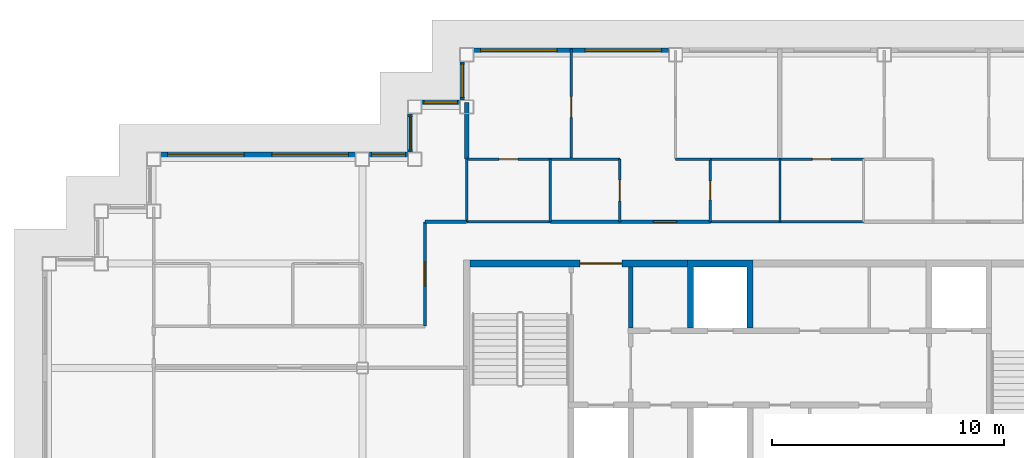
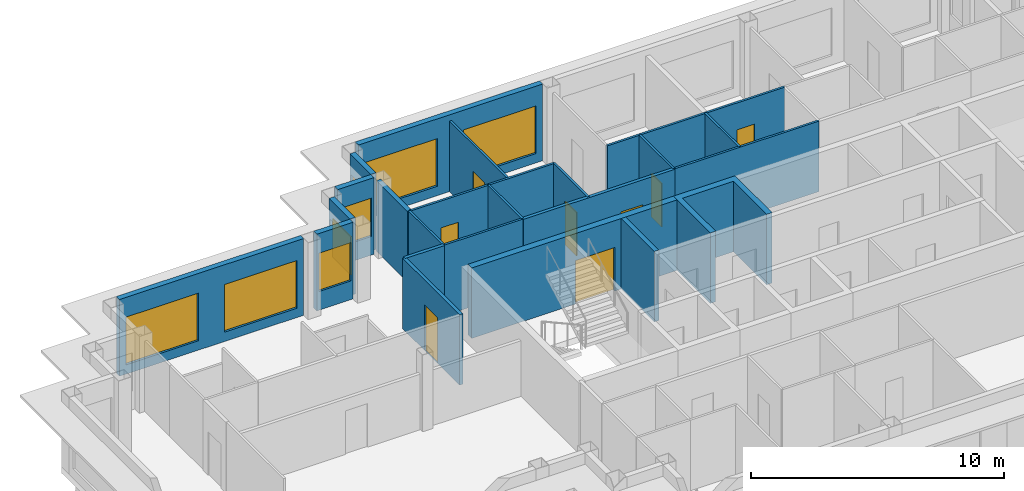
# One storey, part 4 of 12: 25 walls, 8 doors, 8 windows, 16 openings.
"""IFC4 building model written with IfcOpenShell, lengths in metres."""

from ifc_helpers import new_model, si_unit, direction, frame, frame_2d, origin, place, context, subcontext, project, spatial, polyline, rectangle, outline, extrude, material, layer, layer_set, type_object, element, fill, save


model = new_model("IFC4")

# Units and contexts
model_context = context("Model", 3, precision=1e-05, world=origin(), true_north=direction((0.0, 1.0)))
body_context = subcontext(model_context, "Body", "Model", "MODEL_VIEW")
ifc_project = project(units=[si_unit("LENGTHUNIT", "METRE"), si_unit("AREAUNIT", "SQUARE_METRE"), si_unit("VOLUMEUNIT", "CUBIC_METRE"), si_unit("PLANEANGLEUNIT", "RADIAN"), si_unit("MASSUNIT", "GRAM", prefix="KILO")], contexts=[model_context])

# Site, building, storey
site_placement = place(None, origin())
site = spatial("IfcSite", under=ifc_project, at=site_placement, CompositionType="ELEMENT")
building_placement = place(site_placement, origin())
building = spatial("IfcBuilding", under=site, at=building_placement, Name="Caravel Reach Hotel and Residences", CompositionType="ELEMENT")
storey_placement = place(building_placement, frame((0.0, 0.0, 241.60009765625)))
storey = spatial("IfcBuildingStorey", under=building, at=storey_placement, Name="L61", CompositionType="ELEMENT", Elevation=241.60009765625)

# Walls
ifc_material_1 = material(Name="Gypsum board on steel stud", Category="steel")
ifc_layer_1 = layer(ifc_material_1, 0.10009765625)
ifc_layer_set_1 = layer_set([ifc_layer_1], Name="Bathroom pod wall 100 mm")
wall_type_1 = type_object("IfcWallType", Name="Bathroom pod wall 100 mm", PredefinedType="PARTITIONING", material=ifc_layer_set_1)
wall_1_placement = place(storey_placement, frame((28.5, 33.300048828125, 0.0), z_axis=(0.0, 0.0, 1.0), x_axis=(1.0, 0.0, 0.0)))
element("IfcWall", 1, at=wall_1_placement, inside=storey, type_object=wall_type_1, Name="L61 wall w057", PredefinedType="PARTITIONING", context=body_context, shape_type="SweptSolid", body=[
    extrude(rectangle(XDim=6.60009765625, YDim=0.10009765625, at=frame_2d((3.300048828125, 0.0))), origin(), (0.0, 0.0, 1.0), 3.39990234375),
])
wall_2_placement = place(storey_placement, frame((18.0, 33.300048828125, 0.0), z_axis=(0.0, 0.0, 1.0), x_axis=(1.0, 0.0, 0.0)))
element("IfcWall", 2, at=wall_2_placement, inside=storey, type_object=wall_type_1, Name="L61 wall w058", PredefinedType="PARTITIONING", context=body_context, shape_type="SweptSolid", body=[
    extrude(rectangle(XDim=3.60009765625, YDim=0.10009765625, at=frame_2d((1.800048828125, 0.0))), origin(), (0.0, 0.0, 1.0), 3.39990234375),
])

# Wall, opening, door
wall_3_placement = place(storey_placement, frame((28.5, 36.0, 0.0), z_axis=(0.0, 0.0, 1.0), x_axis=(1.0, 0.0, 0.0)))
wall_3 = element("IfcWall", 3, at=wall_3_placement, inside=storey, type_object=wall_type_1, Name="L61 wall w062", PredefinedType="PARTITIONING", context=body_context, shape_type="SweptSolid", body=[
    extrude(rectangle(XDim=6.60009765625, YDim=0.10009765625, at=frame_2d((3.300048828125, 0.0))), origin(), (0.0, 0.0, 1.0), 3.39990234375),
])
opening_1_placement = place(wall_3_placement, frame((4.39990234375, 0.0, 0.0)))
opening_1 = element("IfcOpeningElement", 4, at=opening_1_placement, cuts=wall_3, Name="Opening D61-024", PredefinedType="OPENING", context=body_context, shape_type="SweptSolid", body=[
    extrude(rectangle(XDim=0.800048828125, YDim=2.10009765625, at=frame_2d((0.39990234375, 1.050048828125))), frame((0.0, 0.06005859375, 0.0), z_axis=(0.0, -1.0, 0.0), x_axis=(1.0, 0.0, 0.0)), (0.0, 0.0, 1.0), 0.1201171875),
])
ifc_material_2 = material(Name="Timber and steel door leaf", Category="steel")
door_type_1 = type_object("IfcDoorType", Name="Bathroom door 800 x 2100", OperationType="SINGLE_SWING_LEFT", PredefinedType="DOOR", material=ifc_material_2)
door_1_placement = place(opening_1_placement, origin())
door_1 = element("IfcDoor", 5, at=door_1_placement, inside=storey, type_object=door_type_1, Name="door D61-024", OperationType="SINGLE_SWING_RIGHT", OverallHeight=2.10009765625, OverallWidth=0.800048828125, PredefinedType="DOOR", context=body_context, shape_type="SweptSolid", body=[
    extrude(rectangle(XDim=0.800048828125, YDim=2.10009765625, at=frame_2d((0.39990234375, 1.050048828125))), frame((0.0, 0.02490234375, 0.0), z_axis=(0.0, -1.0, 0.0), x_axis=(1.0, 0.0, 0.0)), (0.0, 0.0, 1.0), 0.050048828125),
])
fill(opening_1, door_1)

wall_4_placement = place(storey_placement, frame((18.0, 36.0, 0.0), z_axis=(0.0, 0.0, 1.0), x_axis=(1.0, 0.0, 0.0)))
wall_4 = element("IfcWall", 6, at=wall_4_placement, inside=storey, type_object=wall_type_1, Name="L61 wall w063", PredefinedType="PARTITIONING", context=body_context, shape_type="SweptSolid", body=[
    extrude(rectangle(XDim=3.60009765625, YDim=0.10009765625, at=frame_2d((1.800048828125, 0.0))), origin(), (0.0, 0.0, 1.0), 3.39990234375),
])
opening_2_placement = place(wall_4_placement, frame((1.39990234375, 0.0, 0.0)))
opening_2 = element("IfcOpeningElement", 7, at=opening_2_placement, cuts=wall_4, Name="Opening D61-018", PredefinedType="OPENING", context=body_context, shape_type="SweptSolid", body=[
    extrude(rectangle(XDim=0.800048828125, YDim=2.10009765625, at=frame_2d((0.39990234375, 1.050048828125))), frame((0.0, 0.06005859375, 0.0), z_axis=(0.0, -1.0, 0.0), x_axis=(1.0, 0.0, 0.0)), (0.0, 0.0, 1.0), 0.1201171875),
])
door_2_placement = place(opening_2_placement, origin())
door_2 = element("IfcDoor", 8, at=door_2_placement, inside=storey, type_object=door_type_1, Name="door D61-018", OperationType="SINGLE_SWING_RIGHT", OverallHeight=2.10009765625, OverallWidth=0.800048828125, PredefinedType="DOOR", context=body_context, shape_type="SweptSolid", body=[
    extrude(rectangle(XDim=0.800048828125, YDim=2.10009765625, at=frame_2d((0.39990234375, 1.050048828125))), frame((0.0, 0.02490234375, 0.0), z_axis=(0.0, -1.0, 0.0), x_axis=(1.0, 0.0, 0.0)), (0.0, 0.0, 1.0), 0.050048828125),
])
fill(opening_2, door_2)

# Walls
wall_5_placement = place(storey_placement, frame((18.0, 33.301025390625, 0.0), z_axis=(0.0, 0.0, 1.0), x_axis=(0.0, 1.0, 0.0)))
element("IfcWall", 9, at=wall_5_placement, inside=storey, type_object=wall_type_1, Name="L61 wall w066", PredefinedType="PARTITIONING", context=body_context, shape_type="SweptSolid", body=[
    extrude(rectangle(XDim=2.698974609375, YDim=0.10009765625, at=frame_2d((1.349609375, 0.0))), origin(), (0.0, 0.0, 1.0), 3.39990234375),
])
wall_6_placement = place(storey_placement, frame((21.60009765625, 33.300048828125, 0.0), z_axis=(0.0, 0.0, 1.0), x_axis=(0.0, 1.0, 0.0)))
element("IfcWall", 10, at=wall_6_placement, inside=storey, type_object=wall_type_1, Name="L61 wall w069", PredefinedType="PARTITIONING", context=body_context, shape_type="SweptSolid", body=[
    extrude(rectangle(XDim=2.699951171875, YDim=0.10009765625, at=frame_2d((1.35009765625, 0.0))), origin(), (0.0, 0.0, 1.0), 3.39990234375),
])

# Wall, opening, door
wall_7_placement = place(storey_placement, frame((28.5, 33.300048828125, 0.0), z_axis=(0.0, 0.0, 1.0), x_axis=(0.0, 1.0, 0.0)))
wall_7 = element("IfcWall", 11, at=wall_7_placement, inside=storey, type_object=wall_type_1, Name="L61 wall w071", PredefinedType="PARTITIONING", context=body_context, shape_type="SweptSolid", body=[
    extrude(rectangle(XDim=2.699951171875, YDim=0.10009765625, at=frame_2d((1.35009765625, 0.0))), origin(), (0.0, 0.0, 1.0), 3.39990234375),
])
opening_3_placement = place(wall_7_placement, frame((0.949951171875, 0.0, 0.0)))
opening_3 = element("IfcOpeningElement", 12, at=opening_3_placement, cuts=wall_7, Name="Opening D61-020", PredefinedType="OPENING", context=body_context, shape_type="SweptSolid", body=[
    extrude(rectangle(XDim=0.800048828125, YDim=2.10009765625, at=frame_2d((0.39990234375, 1.050048828125))), frame((0.0, 0.06005859375, 0.0), z_axis=(0.0, -1.0, 0.0), x_axis=(1.0, 0.0, 0.0)), (0.0, 0.0, 1.0), 0.1201171875),
])
door_3_placement = place(opening_3_placement, origin())
door_3 = element("IfcDoor", 13, at=door_3_placement, inside=storey, type_object=door_type_1, Name="door D61-020", OperationType="SINGLE_SWING_RIGHT", OverallHeight=2.10009765625, OverallWidth=0.800048828125, PredefinedType="DOOR", context=body_context, shape_type="SweptSolid", body=[
    extrude(rectangle(XDim=0.800048828125, YDim=2.10009765625, at=frame_2d((0.39990234375, 1.050048828125))), frame((0.0, 0.02490234375, 0.0), z_axis=(0.0, -1.0, 0.0), x_axis=(1.0, 0.0, 0.0)), (0.0, 0.0, 1.0), 0.050048828125),
])
fill(opening_3, door_3)

# Walls
wall_8_placement = place(storey_placement, frame((31.5, 33.300048828125, 0.0), z_axis=(0.0, 0.0, 1.0), x_axis=(0.0, 1.0, 0.0)))
element("IfcWall", 14, at=wall_8_placement, inside=storey, type_object=wall_type_1, Name="L61 wall w072", PredefinedType="PARTITIONING", context=body_context, shape_type="SweptSolid", body=[
    extrude(rectangle(XDim=2.699951171875, YDim=0.10009765625, at=frame_2d((1.35009765625, 0.0))), origin(), (0.0, 0.0, 1.0), 3.39990234375),
])
ifc_material_3 = material(Name="Autoclaved aerated block wall")
ifc_layer_2 = layer(ifc_material_3, 0.199951171875)
ifc_layer_set_2 = layer_set([ifc_layer_2], Name="Compartment wall 200 mm EI 120")
wall_type_2 = type_object("IfcWallType", Name="Compartment wall 200 mm EI 120", PredefinedType="PARTITIONING", material=ifc_layer_set_2)
wall_9_placement = place(storey_placement, frame((25.071533203125, 28.72509765625, 0.0), z_axis=(0.0, 0.0, 1.0), x_axis=(0.0, 1.0, 0.0)))
element("IfcWall", 15, at=wall_9_placement, inside=storey, type_object=wall_type_2, Name="L61 store partition", PredefinedType="PARTITIONING", context=body_context, shape_type="SweptSolid", body=[
    extrude(rectangle(XDim=2.625, YDim=0.199951171875, at=frame_2d((1.3125, 0.0))), origin(), (0.0, 0.0, 1.0), 3.39990234375),
])

# Wall, opening, door
ifc_material_4 = material(Name="Concrete C60", Category="concrete")
ifc_layer_3 = layer(ifc_material_4, 0.300048828125)
ifc_layer_set_3 = layer_set([ifc_layer_3], Name="Core wall 300 mm EI 120")
wall_type_3 = type_object("IfcWallType", Name="Core wall 300 mm EI 120", PredefinedType="SHEAR", material=ifc_layer_set_3)
wall_10_placement = place(storey_placement, frame((18.14990234375, 31.5, 0.0), z_axis=(0.0, 0.0, 1.0), x_axis=(1.0, 0.0, 0.0)))
wall_10 = element("IfcWall", 16, at=wall_10_placement, inside=storey, type_object=wall_type_3, Name="L61 core wall N1", PredefinedType="SHEAR", context=body_context, shape_type="SweptSolid", body=[
    extrude(rectangle(XDim=9.367919921875, YDim=0.300048828125, at=frame_2d((4.68408203125, 0.0))), origin(), (0.0, 0.0, 1.0), 3.39990234375),
])
opening_4_placement = place(wall_10_placement, frame((4.735595703125, 0.0, 0.0)))
opening_4 = element("IfcOpeningElement", 17, at=opening_4_placement, cuts=wall_10, Name="Opening D61-015", PredefinedType="OPENING", context=body_context, shape_type="SweptSolid", body=[
    extrude(rectangle(XDim=1.800048828125, YDim=2.10009765625, at=frame_2d((0.89990234375, 1.050048828125))), frame((0.0, 0.159912109375, 0.0), z_axis=(0.0, -1.0, 0.0), x_axis=(1.0, 0.0, 0.0)), (0.0, 0.0, 1.0), 0.320068359375),
])
ifc_material_5 = material(Name="Steel fire door leaf", Category="steel")
door_type_2 = type_object("IfcDoorType", Name="Fire lobby door pair 1800 x 2100 EI 90", OperationType="DOUBLE_DOOR_SINGLE_SWING", PredefinedType="DOOR", material=ifc_material_5)
door_4_placement = place(opening_4_placement, origin())
door_4 = element("IfcDoor", 18, at=door_4_placement, inside=storey, type_object=door_type_2, Name="lobby N door pair to corridor", OperationType="DOUBLE_DOOR_SINGLE_SWING", OverallHeight=2.10009765625, OverallWidth=1.800048828125, PredefinedType="DOOR", context=body_context, shape_type="SweptSolid", body=[
    extrude(rectangle(XDim=1.800048828125, YDim=2.10009765625, at=frame_2d((0.89990234375, 1.050048828125))), frame((0.0, 0.02490234375, 0.0), z_axis=(0.0, -1.0, 0.0), x_axis=(1.0, 0.0, 0.0)), (0.0, 0.0, 1.0), 0.050048828125),
])
fill(opening_4, door_4)

ifc_material_6 = material(Name="Gypsum board on steel stud, fire-rated", Category="steel")
ifc_layer_4 = layer(ifc_material_6, 0.14990234375)
ifc_layer_set_4 = layer_set([ifc_layer_4], Name="Corridor wall 150 mm EI 60")
wall_type_4 = type_object("IfcWallType", Name="Corridor wall 150 mm EI 60", PredefinedType="PARTITIONING", material=ifc_layer_set_4)
wall_11_placement = place(storey_placement, frame((21.60009765625, 33.300048828125, 0.0), z_axis=(0.0, 0.0, 1.0), x_axis=(1.0, 0.0, 0.0)))
wall_11 = element("IfcWall", 19, at=wall_11_placement, inside=storey, type_object=wall_type_4, Name="L61 wall w011", PredefinedType="PARTITIONING", context=body_context, shape_type="SweptSolid", body=[
    extrude(rectangle(XDim=6.89990234375, YDim=0.14990234375, at=frame_2d((3.449951171875, 0.0))), origin(), (0.0, 0.0, 1.0), 3.39990234375),
])
opening_5_placement = place(wall_11_placement, frame((4.449951171875, 0.0, 0.0)))
opening_5 = element("IfcOpeningElement", 20, at=opening_5_placement, cuts=wall_11, Name="Opening D61-017", PredefinedType="OPENING", context=body_context, shape_type="SweptSolid", body=[
    extrude(rectangle(XDim=1.0, YDim=2.199951171875, at=frame_2d((0.5, 1.10009765625))), frame((0.0, 0.0849609375, 0.0), z_axis=(0.0, -1.0, 0.0), x_axis=(1.0, 0.0, 0.0)), (0.0, 0.0, 1.0), 0.169921875),
])
ifc_material_7 = material(Name="Steel fire door leaf", Category="steel")
door_type_3 = type_object("IfcDoorType", Name="Flat entrance door 1000 x 2200 EI 60", OperationType="SINGLE_SWING_LEFT", PredefinedType="DOOR", material=ifc_material_7)
door_5_placement = place(opening_5_placement, origin())
door_5 = element("IfcDoor", 21, at=door_5_placement, inside=storey, type_object=door_type_3, Name="door D61-017", OperationType="SINGLE_SWING_RIGHT", OverallHeight=2.199951171875, OverallWidth=1.0, PredefinedType="DOOR", context=body_context, shape_type="SweptSolid", body=[
    extrude(rectangle(XDim=1.0, YDim=2.199951171875, at=frame_2d((0.5, 1.10009765625))), frame((0.0, 0.02490234375, 0.0), z_axis=(0.0, -1.0, 0.0), x_axis=(1.0, 0.0, 0.0)), (0.0, 0.0, 1.0), 0.050048828125),
])
fill(opening_5, door_5)

# Wall
wall_12_placement = place(storey_placement, frame((16.199951171875, 33.300048828125, 0.0), z_axis=(0.0, 0.0, 1.0), x_axis=(1.0, 0.0, 0.0)))
element("IfcWall", 22, at=wall_12_placement, inside=storey, type_object=wall_type_4, Name="L61 wall w014", PredefinedType="PARTITIONING", context=body_context, shape_type="SweptSolid", body=[
    extrude(rectangle(XDim=1.799072265625, YDim=0.14990234375, at=frame_2d((0.8994140625, 0.0))), origin(), (0.0, 0.0, 1.0), 3.39990234375),
])

# Wall, opening, door
wall_13_placement = place(storey_placement, frame((16.199951171875, 28.801025390625, 0.0), z_axis=(0.0, 0.0, 1.0), x_axis=(0.0, 1.0, 0.0)))
wall_13 = element("IfcWall", 23, at=wall_13_placement, inside=storey, type_object=wall_type_4, Name="L61 wall w015", PredefinedType="PARTITIONING", context=body_context, shape_type="SweptSolid", body=[
    extrude(rectangle(XDim=4.4990234375, YDim=0.14990234375, at=frame_2d((2.24951171875, 0.0))), origin(), (0.0, 0.0, 1.0), 3.39990234375),
])
opening_6_placement = place(wall_13_placement, frame((1.74951171875, 0.0, 0.0)))
opening_6 = element("IfcOpeningElement", 24, at=opening_6_placement, cuts=wall_13, Name="Opening D61-029", PredefinedType="OPENING", context=body_context, shape_type="SweptSolid", body=[
    extrude(rectangle(XDim=1.0, YDim=2.199951171875, at=frame_2d((0.5, 1.10009765625))), frame((0.0, 0.0849609375, 0.0), z_axis=(0.0, -1.0, 0.0), x_axis=(1.0, 0.0, 0.0)), (0.0, 0.0, 1.0), 0.169921875),
])
door_6_placement = place(opening_6_placement, origin())
door_6 = element("IfcDoor", 25, at=door_6_placement, inside=storey, type_object=door_type_3, Name="door D61-029", OperationType="SINGLE_SWING_LEFT", OverallHeight=2.199951171875, OverallWidth=1.0, PredefinedType="DOOR", context=body_context, shape_type="SweptSolid", body=[
    extrude(rectangle(XDim=1.0, YDim=2.199951171875, at=frame_2d((0.5, 1.10009765625))), frame((0.0, 0.02490234375, 0.0), z_axis=(0.0, -1.0, 0.0), x_axis=(1.0, 0.0, 0.0)), (0.0, 0.0, 1.0), 0.050048828125),
])
fill(opening_6, door_6)

# Wall, openings, windows
ifc_material_8 = material(Name="Insulated rainscreen wall, aluminium cladding", Category="aluminium")
ifc_layer_5 = layer(ifc_material_8, 0.25)
ifc_layer_set_5 = layer_set([ifc_layer_5], Name="EW1 Tower rainscreen wall")
wall_type_5 = type_object("IfcWallType", Name="EW1 Tower rainscreen wall", PredefinedType="SOLIDWALL", material=ifc_layer_set_5)
wall_14_placement = place(storey_placement, frame((26.699951171875, 40.675048828125, 0.0), z_axis=(0.0, 0.0, 1.0), x_axis=(-1.0, 0.0, 0.0)))
wall_14 = element("IfcWall", 26, at=wall_14_placement, inside=storey, type_object=wall_type_5, Name="External wall L61 N14.3", PredefinedType="SOLIDWALL", context=body_context, shape_type="SweptSolid", body=[
    extrude(rectangle(XDim=8.39990234375, YDim=0.25, at=frame_2d((4.199951171875, 0.0))), origin(), (0.0, 0.0, 1.0), 3.699951171875),
])
opening_7_placement = place(wall_14_placement, frame((0.300048828125, 0.0, 0.449951171875)))
opening_7 = element("IfcOpeningElement", 27, at=opening_7_placement, cuts=wall_14, Name="Opening WN15", PredefinedType="OPENING", context=body_context, shape_type="SweptSolid", body=[
    extrude(rectangle(XDim=3.300048828125, YDim=2.300048828125, at=frame_2d((1.64990234375, 1.14990234375))), frame((0.0, 0.135009765625, 0.0), z_axis=(0.0, -1.0, 0.0), x_axis=(1.0, 0.0, 0.0)), (0.0, 0.0, 1.0), 0.27001953125),
])
opening_8_placement = place(wall_14_placement, frame((4.800048828125, 0.0, 0.449951171875)))
opening_8 = element("IfcOpeningElement", 28, at=opening_8_placement, cuts=wall_14, Name="Opening WN15", PredefinedType="OPENING", context=body_context, shape_type="SweptSolid", body=[
    extrude(rectangle(XDim=3.300048828125, YDim=2.300048828125, at=frame_2d((1.64990234375, 1.14990234375))), frame((0.0, 0.135009765625, 0.0), z_axis=(0.0, -1.0, 0.0), x_axis=(1.0, 0.0, 0.0)), (0.0, 0.0, 1.0), 0.27001953125),
])
ifc_material_9 = material(Name="Dark low-e glazing in black aluminium frame", Category="aluminium")
window_type_1 = type_object("IfcWindowType", Name="Residence living window 3300 x 2300", PartitioningType="SINGLE_PANEL", PredefinedType="WINDOW", material=ifc_material_9)
window_1_placement = place(opening_7_placement, origin())
window_1 = element("IfcWindow", 29, at=window_1_placement, inside=storey, type_object=window_type_1, Name="Window L61 N14.3.1", OverallHeight=2.300048828125, OverallWidth=3.300048828125, PartitioningType="SINGLE_PANEL", PredefinedType="WINDOW", context=body_context, shape_type="SweptSolid", body=[
    extrude(rectangle(XDim=3.300048828125, YDim=2.300048828125, at=frame_2d((1.64990234375, 1.14990234375))), frame((0.0, 0.030029296875, 0.0), z_axis=(0.0, -1.0, 0.0), x_axis=(1.0, 0.0, 0.0)), (0.0, 0.0, 1.0), 0.06005859375),
])
fill(opening_7, window_1)
window_2_placement = place(opening_8_placement, origin())
window_2 = element("IfcWindow", 30, at=window_2_placement, inside=storey, type_object=window_type_1, Name="Window L61 N14.3.2", OverallHeight=2.300048828125, OverallWidth=3.300048828125, PartitioningType="SINGLE_PANEL", PredefinedType="WINDOW", context=body_context, shape_type="SweptSolid", body=[
    extrude(rectangle(XDim=3.300048828125, YDim=2.300048828125, at=frame_2d((1.64990234375, 1.14990234375))), frame((0.0, 0.030029296875, 0.0), z_axis=(0.0, -1.0, 0.0), x_axis=(1.0, 0.0, 0.0)), (0.0, 0.0, 1.0), 0.06005859375),
])
fill(opening_8, window_2)

# Wall, opening, window
wall_15_placement = place(storey_placement, frame((17.824951171875, 40.199951171875, 0.0), z_axis=(0.0, 0.0, 1.0), x_axis=(0.0, -1.0, 0.0)))
wall_15 = element("IfcWall", 31, at=wall_15_placement, inside=storey, type_object=wall_type_5, Name="External wall L61 W15.1", PredefinedType="SOLIDWALL", context=body_context, shape_type="SweptSolid", body=[
    extrude(rectangle(XDim=1.64990234375, YDim=0.25, at=frame_2d((0.824951171875, 0.0))), origin(), (0.0, 0.0, 1.0), 3.699951171875),
])
opening_9_placement = place(wall_15_placement, frame((0.10009765625, 0.0, 0.89990234375)))
opening_9 = element("IfcOpeningElement", 32, at=opening_9_placement, cuts=wall_15, Name="Opening WN25", PredefinedType="OPENING", context=body_context, shape_type="SweptSolid", body=[
    extrude(rectangle(XDim=1.449951171875, YDim=1.85009765625, at=frame_2d((0.72509765625, 0.925048828125))), frame((0.0, 0.135009765625, 0.0), z_axis=(0.0, -1.0, 0.0), x_axis=(1.0, 0.0, 0.0)), (0.0, 0.0, 1.0), 0.27001953125),
])
ifc_material_10 = material(Name="Dark low-e glazing in black aluminium frame", Category="aluminium")
window_type_2 = type_object("IfcWindowType", Name="Residence bedroom window 1450 x 1850", PartitioningType="SINGLE_PANEL", PredefinedType="WINDOW", material=ifc_material_10)
window_3_placement = place(opening_9_placement, origin())
window_3 = element("IfcWindow", 33, at=window_3_placement, inside=storey, type_object=window_type_2, Name="Window L61 W15.1.1", OverallHeight=1.85009765625, OverallWidth=1.449951171875, PartitioningType="SINGLE_PANEL", PredefinedType="WINDOW", context=body_context, shape_type="SweptSolid", body=[
    extrude(rectangle(XDim=1.449951171875, YDim=1.85009765625, at=frame_2d((0.72509765625, 0.925048828125))), frame((0.0, 0.030029296875, 0.0), z_axis=(0.0, -1.0, 0.0), x_axis=(1.0, 0.0, 0.0)), (0.0, 0.0, 1.0), 0.06005859375),
])
fill(opening_9, window_3)

wall_16_placement = place(storey_placement, frame((17.699951171875, 38.425048828125, 0.0), z_axis=(0.0, 0.0, 1.0), x_axis=(-1.0, 0.0, 0.0)))
wall_16 = element("IfcWall", 34, at=wall_16_placement, inside=storey, type_object=wall_type_5, Name="External wall L61 N16.1", PredefinedType="SOLIDWALL", context=body_context, shape_type="SweptSolid", body=[
    extrude(rectangle(XDim=1.64990234375, YDim=0.25, at=frame_2d((0.824951171875, 0.0))), origin(), (0.0, 0.0, 1.0), 3.699951171875),
])
opening_10_placement = place(wall_16_placement, frame((0.10009765625, 0.0, 0.89990234375)))
opening_10 = element("IfcOpeningElement", 35, at=opening_10_placement, cuts=wall_16, Name="Opening WN25", PredefinedType="OPENING", context=body_context, shape_type="SweptSolid", body=[
    extrude(rectangle(XDim=1.449951171875, YDim=1.85009765625, at=frame_2d((0.72509765625, 0.925048828125))), frame((0.0, 0.135009765625, 0.0), z_axis=(0.0, -1.0, 0.0), x_axis=(1.0, 0.0, 0.0)), (0.0, 0.0, 1.0), 0.27001953125),
])
window_4_placement = place(opening_10_placement, origin())
window_4 = element("IfcWindow", 36, at=window_4_placement, inside=storey, type_object=window_type_2, Name="Window L61 N16.1.1", OverallHeight=1.85009765625, OverallWidth=1.449951171875, PartitioningType="SINGLE_PANEL", PredefinedType="WINDOW", context=body_context, shape_type="SweptSolid", body=[
    extrude(rectangle(XDim=1.449951171875, YDim=1.85009765625, at=frame_2d((0.72509765625, 0.925048828125))), frame((0.0, 0.030029296875, 0.0), z_axis=(0.0, -1.0, 0.0), x_axis=(1.0, 0.0, 0.0)), (0.0, 0.0, 1.0), 0.06005859375),
])
fill(opening_10, window_4)

wall_17_placement = place(storey_placement, frame((15.574951171875, 37.949951171875, 0.0), z_axis=(0.0, 0.0, 1.0), x_axis=(0.0, -1.0, 0.0)))
wall_17 = element("IfcWall", 37, at=wall_17_placement, inside=storey, type_object=wall_type_5, Name="External wall L61 W17.1", PredefinedType="SOLIDWALL", context=body_context, shape_type="SweptSolid", body=[
    extrude(rectangle(XDim=1.64990234375, YDim=0.25, at=frame_2d((0.824951171875, 0.0))), origin(), (0.0, 0.0, 1.0), 3.699951171875),
])
opening_11_placement = place(wall_17_placement, frame((0.10009765625, 0.0, 0.89990234375)))
opening_11 = element("IfcOpeningElement", 38, at=opening_11_placement, cuts=wall_17, Name="Opening WN25", PredefinedType="OPENING", context=body_context, shape_type="SweptSolid", body=[
    extrude(rectangle(XDim=1.449951171875, YDim=1.85009765625, at=frame_2d((0.72509765625, 0.925048828125))), frame((0.0, 0.135009765625, 0.0), z_axis=(0.0, -1.0, 0.0), x_axis=(1.0, 0.0, 0.0)), (0.0, 0.0, 1.0), 0.27001953125),
])
window_5_placement = place(opening_11_placement, origin())
window_5 = element("IfcWindow", 39, at=window_5_placement, inside=storey, type_object=window_type_2, Name="Window L61 W17.1.1", OverallHeight=1.85009765625, OverallWidth=1.449951171875, PartitioningType="SINGLE_PANEL", PredefinedType="WINDOW", context=body_context, shape_type="SweptSolid", body=[
    extrude(rectangle(XDim=1.449951171875, YDim=1.85009765625, at=frame_2d((0.72509765625, 0.925048828125))), frame((0.0, 0.030029296875, 0.0), z_axis=(0.0, -1.0, 0.0), x_axis=(1.0, 0.0, 0.0)), (0.0, 0.0, 1.0), 0.06005859375),
])
fill(opening_11, window_5)

wall_18_placement = place(storey_placement, frame((15.449951171875, 36.175048828125, 0.0), z_axis=(0.0, 0.0, 1.0), x_axis=(-1.0, 0.0, 0.0)))
wall_18 = element("IfcWall", 40, at=wall_18_placement, inside=storey, type_object=wall_type_5, Name="External wall L61 N18.1", PredefinedType="SOLIDWALL", context=body_context, shape_type="SweptSolid", body=[
    extrude(rectangle(XDim=1.64990234375, YDim=0.25, at=frame_2d((0.824951171875, 0.0))), origin(), (0.0, 0.0, 1.0), 3.699951171875),
])
opening_12_placement = place(wall_18_placement, frame((0.10009765625, 0.0, 0.89990234375)))
opening_12 = element("IfcOpeningElement", 41, at=opening_12_placement, cuts=wall_18, Name="Opening WN25", PredefinedType="OPENING", context=body_context, shape_type="SweptSolid", body=[
    extrude(rectangle(XDim=1.449951171875, YDim=1.85009765625, at=frame_2d((0.72509765625, 0.925048828125))), frame((0.0, 0.135009765625, 0.0), z_axis=(0.0, -1.0, 0.0), x_axis=(1.0, 0.0, 0.0)), (0.0, 0.0, 1.0), 0.27001953125),
])
window_6_placement = place(opening_12_placement, origin())
window_6 = element("IfcWindow", 42, at=window_6_placement, inside=storey, type_object=window_type_2, Name="Window L61 N18.1.1", OverallHeight=1.85009765625, OverallWidth=1.449951171875, PartitioningType="SINGLE_PANEL", PredefinedType="WINDOW", context=body_context, shape_type="SweptSolid", body=[
    extrude(rectangle(XDim=1.449951171875, YDim=1.85009765625, at=frame_2d((0.72509765625, 0.925048828125))), frame((0.0, 0.030029296875, 0.0), z_axis=(0.0, -1.0, 0.0), x_axis=(1.0, 0.0, 0.0)), (0.0, 0.0, 1.0), 0.06005859375),
])
fill(opening_12, window_6)

# Wall, openings, windows
wall_19_placement = place(storey_placement, frame((13.199951171875, 36.175048828125, 0.0), z_axis=(0.0, 0.0, 1.0), x_axis=(-1.0, 0.0, 0.0)))
wall_19 = element("IfcWall", 43, at=wall_19_placement, inside=storey, type_object=wall_type_5, Name="External wall L61 N18.2", PredefinedType="SOLIDWALL", context=body_context, shape_type="SweptSolid", body=[
    extrude(rectangle(XDim=8.39990234375, YDim=0.25, at=frame_2d((4.199951171875, 0.0))), origin(), (0.0, 0.0, 1.0), 3.699951171875),
])
opening_13_placement = place(wall_19_placement, frame((0.300048828125, 0.0, 0.449951171875)))
opening_13 = element("IfcOpeningElement", 44, at=opening_13_placement, cuts=wall_19, Name="Opening WN15", PredefinedType="OPENING", context=body_context, shape_type="SweptSolid", body=[
    extrude(rectangle(XDim=3.300048828125, YDim=2.300048828125, at=frame_2d((1.64990234375, 1.14990234375))), frame((0.0, 0.135009765625, 0.0), z_axis=(0.0, -1.0, 0.0), x_axis=(1.0, 0.0, 0.0)), (0.0, 0.0, 1.0), 0.27001953125),
])
opening_14_placement = place(wall_19_placement, frame((4.800048828125, 0.0, 0.449951171875)))
opening_14 = element("IfcOpeningElement", 45, at=opening_14_placement, cuts=wall_19, Name="Opening WN15", PredefinedType="OPENING", context=body_context, shape_type="SweptSolid", body=[
    extrude(rectangle(XDim=3.300048828125, YDim=2.300048828125, at=frame_2d((1.64990234375, 1.14990234375))), frame((0.0, 0.135009765625, 0.0), z_axis=(0.0, -1.0, 0.0), x_axis=(1.0, 0.0, 0.0)), (0.0, 0.0, 1.0), 0.27001953125),
])
window_7_placement = place(opening_13_placement, origin())
window_7 = element("IfcWindow", 46, at=window_7_placement, inside=storey, type_object=window_type_1, Name="Window L61 N18.2.1", OverallHeight=2.300048828125, OverallWidth=3.300048828125, PartitioningType="SINGLE_PANEL", PredefinedType="WINDOW", context=body_context, shape_type="SweptSolid", body=[
    extrude(rectangle(XDim=3.300048828125, YDim=2.300048828125, at=frame_2d((1.64990234375, 1.14990234375))), frame((0.0, 0.030029296875, 0.0), z_axis=(0.0, -1.0, 0.0), x_axis=(1.0, 0.0, 0.0)), (0.0, 0.0, 1.0), 0.06005859375),
])
fill(opening_13, window_7)
window_8_placement = place(opening_14_placement, origin())
window_8 = element("IfcWindow", 47, at=window_8_placement, inside=storey, type_object=window_type_1, Name="Window L61 N18.2.2", OverallHeight=2.300048828125, OverallWidth=3.300048828125, PartitioningType="SINGLE_PANEL", PredefinedType="WINDOW", context=body_context, shape_type="SweptSolid", body=[
    extrude(rectangle(XDim=3.300048828125, YDim=2.300048828125, at=frame_2d((1.64990234375, 1.14990234375))), frame((0.0, 0.030029296875, 0.0), z_axis=(0.0, -1.0, 0.0), x_axis=(1.0, 0.0, 0.0)), (0.0, 0.0, 1.0), 0.06005859375),
])
fill(opening_14, window_8)

# Walls
ifc_material_11 = material(Name="Gypsum board on steel stud", Category="steel")
ifc_layer_6 = layer(ifc_material_11, 0.10009765625)
ifc_layer_set_6 = layer_set([ifc_layer_6], Name="Partition 100 mm")
wall_type_6 = type_object("IfcWallType", Name="Partition 100 mm", PredefinedType="PARTITIONING", material=ifc_layer_set_6)
wall_20_placement = place(storey_placement, frame((27.0, 36.0, 0.0), z_axis=(0.0, 0.0, 1.0), x_axis=(1.0, 0.0, 0.0)))
element("IfcWall", 48, at=wall_20_placement, inside=storey, type_object=wall_type_6, Name="L61 wall w025", PredefinedType="PARTITIONING", context=body_context, shape_type="SweptSolid", body=[
    extrude(rectangle(XDim=1.5, YDim=0.10009765625, at=frame_2d((0.75, 0.0))), origin(), (0.0, 0.0, 1.0), 3.39990234375),
])
wall_21_placement = place(storey_placement, frame((21.60009765625, 36.0, 0.0), z_axis=(0.0, 0.0, 1.0), x_axis=(1.0, 0.0, 0.0)))
element("IfcWall", 49, at=wall_21_placement, inside=storey, type_object=wall_type_6, Name="L61 wall w026", PredefinedType="PARTITIONING", context=body_context, shape_type="SweptSolid", body=[
    extrude(rectangle(XDim=3.0, YDim=0.10009765625, at=frame_2d((1.5, 0.0))), origin(), (0.0, 0.0, 1.0), 3.39990234375),
])

# Wall, opening, door
wall_22_placement = place(storey_placement, frame((22.5, 36.0, 0.0), z_axis=(0.0, 0.0, 1.0), x_axis=(0.0, 1.0, 0.0)))
wall_22 = element("IfcWall", 50, at=wall_22_placement, inside=storey, type_object=wall_type_6, Name="L61 wall w035", PredefinedType="PARTITIONING", context=body_context, shape_type="SweptSolid", body=[
    extrude(rectangle(XDim=4.739990234375, YDim=0.10009765625, at=frame_2d((2.3701171875, 0.0))), origin(), (0.0, 0.0, 1.0), 3.39990234375),
])
opening_15_placement = place(wall_22_placement, frame((1.800048828125, 0.0, 0.0)))
opening_15 = element("IfcOpeningElement", 51, at=opening_15_placement, cuts=wall_22, Name="Opening D61-021", PredefinedType="OPENING", context=body_context, shape_type="SweptSolid", body=[
    extrude(rectangle(XDim=0.89990234375, YDim=2.10009765625, at=frame_2d((0.449951171875, 1.050048828125))), frame((0.0, 0.06005859375, 0.0), z_axis=(0.0, -1.0, 0.0), x_axis=(1.0, 0.0, 0.0)), (0.0, 0.0, 1.0), 0.1201171875),
])
ifc_material_12 = material(Name="Timber and steel door leaf", Category="steel")
door_type_4 = type_object("IfcDoorType", Name="Door 900 x 2100 timber", OperationType="SINGLE_SWING_LEFT", PredefinedType="DOOR", material=ifc_material_12)
door_7_placement = place(opening_15_placement, origin())
door_7 = element("IfcDoor", 52, at=door_7_placement, inside=storey, type_object=door_type_4, Name="door D61-021", OperationType="SINGLE_SWING_LEFT", OverallHeight=2.10009765625, OverallWidth=0.89990234375, PredefinedType="DOOR", context=body_context, shape_type="SweptSolid", body=[
    extrude(rectangle(XDim=0.89990234375, YDim=2.10009765625, at=frame_2d((0.449951171875, 1.050048828125))), frame((0.0, 0.02490234375, 0.0), z_axis=(0.0, -1.0, 0.0), x_axis=(1.0, 0.0, 0.0)), (0.0, 0.0, 1.0), 0.050048828125),
])
fill(opening_15, door_7)

wall_23_placement = place(storey_placement, frame((24.60009765625, 33.300048828125, 0.0), z_axis=(0.0, 0.0, 1.0), x_axis=(0.0, 1.0, 0.0)))
wall_23 = element("IfcWall", 53, at=wall_23_placement, inside=storey, type_object=wall_type_6, Name="L61 wall w037", PredefinedType="PARTITIONING", context=body_context, shape_type="SweptSolid", body=[
    extrude(rectangle(XDim=2.699951171875, YDim=0.10009765625, at=frame_2d((1.35009765625, 0.0))), origin(), (0.0, 0.0, 1.0), 3.39990234375),
])
opening_16_placement = place(wall_23_placement, frame((0.89990234375, 0.0, 0.0)))
opening_16 = element("IfcOpeningElement", 54, at=opening_16_placement, cuts=wall_23, Name="Opening D61-019", PredefinedType="OPENING", context=body_context, shape_type="SweptSolid", body=[
    extrude(rectangle(XDim=0.89990234375, YDim=2.10009765625, at=frame_2d((0.449951171875, 1.050048828125))), frame((0.0, 0.06005859375, 0.0), z_axis=(0.0, -1.0, 0.0), x_axis=(1.0, 0.0, 0.0)), (0.0, 0.0, 1.0), 0.1201171875),
])
door_8_placement = place(opening_16_placement, origin())
door_8 = element("IfcDoor", 55, at=door_8_placement, inside=storey, type_object=door_type_4, Name="door D61-019", OperationType="SINGLE_SWING_RIGHT", OverallHeight=2.10009765625, OverallWidth=0.89990234375, PredefinedType="DOOR", context=body_context, shape_type="SweptSolid", body=[
    extrude(rectangle(XDim=0.89990234375, YDim=2.10009765625, at=frame_2d((0.449951171875, 1.050048828125))), frame((0.0, 0.02490234375, 0.0), z_axis=(0.0, -1.0, 0.0), x_axis=(1.0, 0.0, 0.0)), (0.0, 0.0, 1.0), 0.050048828125),
])
fill(opening_16, door_8)

# Walls
ifc_material_13 = material(Name="Autoclaved aerated block wall")
ifc_layer_7 = layer(ifc_material_13, 0.199951171875)
ifc_layer_set_7 = layer_set([ifc_layer_7], Name="Party wall 200 mm EI 60")
wall_type_7 = type_object("IfcWallType", Name="Party wall 200 mm EI 60", PredefinedType="PARTITIONING", material=ifc_layer_set_7)
wall_24_placement = place(storey_placement, frame((18.0, 36.0, 0.0), z_axis=(0.0, 0.0, 1.0), x_axis=(0.0, 1.0, 0.0)))
element("IfcWall", 56, at=wall_24_placement, inside=storey, type_object=wall_type_7, Name="L61 wall w048", PredefinedType="PARTITIONING", context=body_context, shape_type="SweptSolid", body=[
    extrude(rectangle(XDim=2.43994140625, YDim=0.199951171875, at=frame_2d((1.219970703125, 0.0))), origin(), (0.0, 0.0, 1.0), 3.39990234375),
])
ifc_material_14 = material(Name="Concrete C60", Category="concrete")
ifc_layer_8 = layer(ifc_material_14, 0.25)
ifc_layer_set_8 = layer_set([ifc_layer_8], Name="Shaft wall 250 mm EI 120")
wall_type_8 = type_object("IfcWallType", Name="Shaft wall 250 mm EI 120", PredefinedType="SHEAR", material=ifc_layer_set_8)
wall_25_placement = place(storey_placement, origin())
element("IfcWall", 57, at=wall_25_placement, inside=storey, type_object=wall_type_8, Name="L61 lift shaft wall N1", PredefinedType="SHEAR", context=body_context, shape_type="SweptSolid", body=[
    extrude(outline(polyline([(27.517822265625, 28.72509765625), (27.767822265625, 28.72509765625), (27.767822265625, 31.35009765625), (30.08935546875, 31.35009765625), (30.08935546875, 28.72509765625), (30.33935546875, 28.72509765625), (30.33935546875, 31.64990234375), (27.517822265625, 31.64990234375), (27.517822265625, 28.72509765625)])), origin(), (0.0, 0.0, 1.0), 3.39990234375),
])

save(model, "model.ifc")
